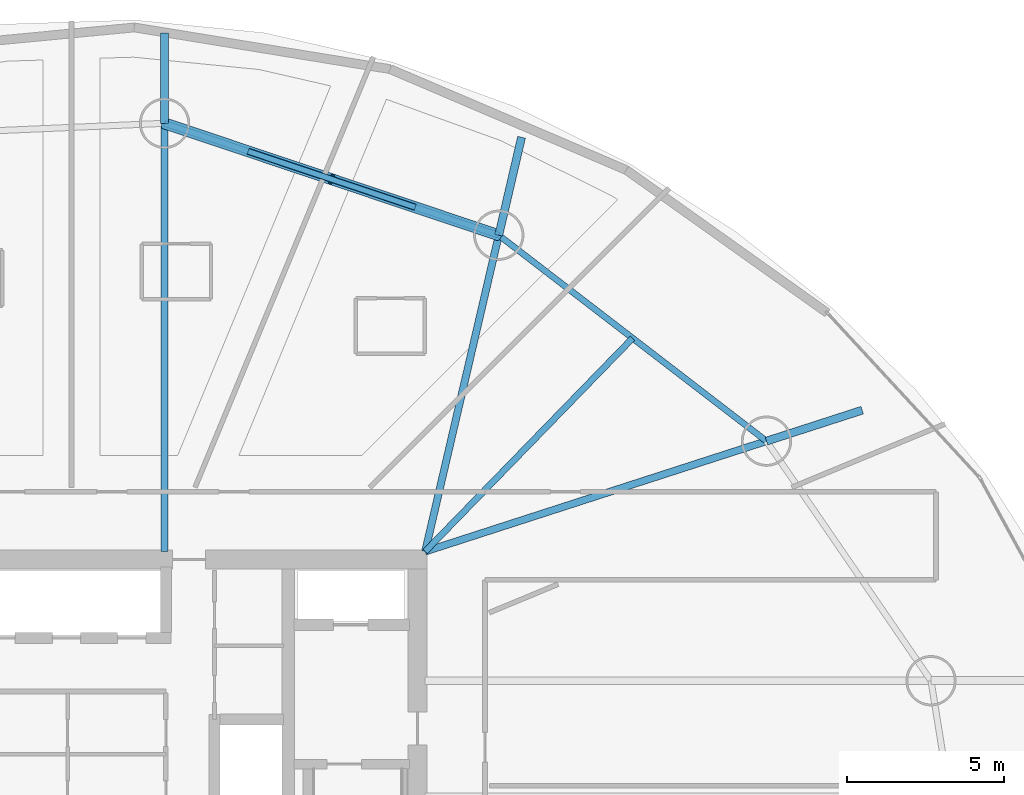
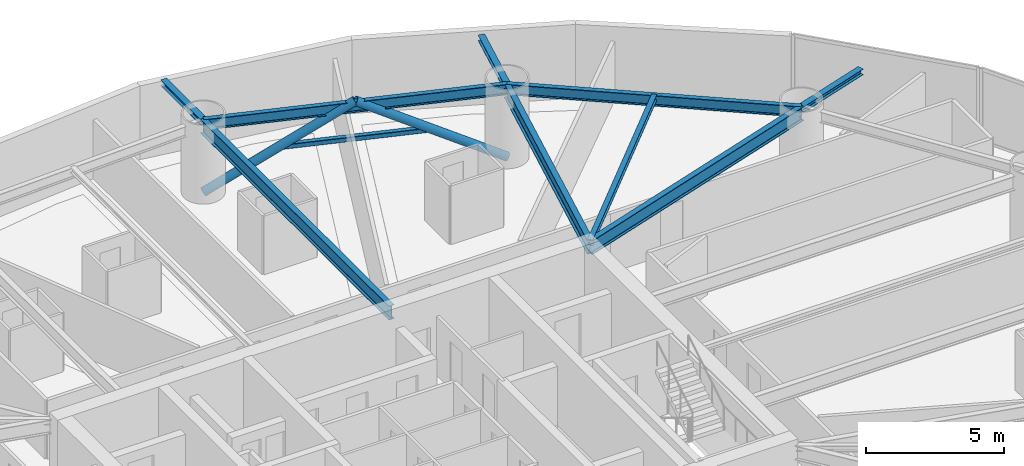
# One storey, part 15 of 27: 9 beams, 3 members.
"""IFC4 building model written with IfcOpenShell, lengths in metres."""

from ifc_helpers import new_model, si_unit, direction, frame, origin, origin_2d, place, context, subcontext, project, spatial, hollow_rectangle, hollow_circle, i_section, extrude, material, material_profile, profile_set, type_object, element, save


model = new_model("IFC4")

# Units and contexts
model_context = context("Model", 3, precision=1e-05, world=origin(), true_north=direction((0.0, 1.0)))
body_context = subcontext(model_context, "Body", "Model", "MODEL_VIEW")
ifc_project = project(units=[si_unit("LENGTHUNIT", "METRE"), si_unit("AREAUNIT", "SQUARE_METRE"), si_unit("VOLUMEUNIT", "CUBIC_METRE"), si_unit("PLANEANGLEUNIT", "RADIAN"), si_unit("MASSUNIT", "GRAM", prefix="KILO")], contexts=[model_context])

# Site, building, storey
site_placement = place(None, origin())
site = spatial("IfcSite", under=ifc_project, at=site_placement, CompositionType="ELEMENT")
building_placement = place(site_placement, origin())
building = spatial("IfcBuilding", under=site, at=building_placement, Name="Bramvorn Convention Spire", CompositionType="ELEMENT")
storey_placement = place(building_placement, frame((0.0, 0.0, 44.89990234375)))
storey = spatial("IfcBuildingStorey", under=building, at=storey_placement, Name="L08", CompositionType="ELEMENT", Elevation=44.89990234375)

# Beams
ifc_material = material(Name="Steel CSA G40.21 Grade 350 (350W)", Category="steel")
ifc_material_profile_1 = material_profile(ifc_material, i_section(OverallWidth=0.201904296875, OverallDepth=0.2470703125, WebThickness=0.00732421875, FlangeThickness=0.010986328125, FilletRadius=0.011962890625, at=origin_2d()))
ifc_profile_set_1 = profile_set([ifc_material_profile_1], Name="Steel CSA G40.21 Grade 350 (350W) - W250X49")
beam_type_1 = type_object("IfcBeamType", Name="BM-W250X49", PredefinedType="JOIST", material=ifc_profile_set_1)
beam_1_placement = place(storey_placement, frame((49.25, 33.449951171875, 3.126708984375), z_axis=(0.697170484005, 0.716905374671, 0.0), x_axis=(-0.716905374671, 0.697170484005, 0.0)))
element("IfcBeam", 1, at=beam_1_placement, inside=storey, type_object=beam_type_1, Name="L08 composite floor joist 03", PredefinedType="JOIST", context=body_context, shape_type="SweptSolid", body=[
    extrude(i_section(OverallWidth=0.201904296875, OverallDepth=0.2470703125, WebThickness=0.00732421875, FlangeThickness=0.010986328125, FilletRadius=0.011962890625, at=origin_2d()), origin(), (0.0, 0.0, 1.0), 9.4638671875),
])
ifc_material_profile_2 = material_profile(ifc_material, i_section(OverallWidth=0.25390625, OverallDepth=0.2529296875, WebThickness=0.008544921875, FlangeThickness=0.01416015625, FilletRadius=0.011962890625, at=origin_2d()))
ifc_profile_set_2 = profile_set([ifc_material_profile_2], Name="Steel CSA G40.21 Grade 350 (350W) - W250X73")
beam_type_2 = type_object("IfcBeamType", Name="BM-W250X73", PredefinedType="BEAM", material=ifc_profile_set_2)
for number, where, z_axis, x_axis, name in (
    (2, (60.105224609375, 36.960205078125, 3.12353515625), (0.951483286173, 0.307700432454, 0.0), (-0.307700432454, 0.951483286173, 0.0), "L08 slab-edge cantilever tip beam MC03"),
    (3, (51.59033203125, 43.509033203125, 3.12353515625), (0.226597657663, 0.973988450415, 0.0), (-0.973988450415, 0.226597657663, 0.0), "L08 slab-edge cantilever tip beam MC04"),
):
    element("IfcBeam", number, at=place(storey_placement, frame(where, z_axis=z_axis, x_axis=x_axis)), inside=storey, type_object=beam_type_2, Name=name, PredefinedType="BEAM", context=body_context, shape_type="SweptSolid", body=[
        extrude(i_section(OverallWidth=0.25390625, OverallDepth=0.2529296875, WebThickness=0.008544921875, FlangeThickness=0.01416015625, FilletRadius=0.011962890625, at=origin_2d()), origin(), (0.0, 0.0, 1.0), 3.199951171875),
    ])
beam_2_placement = place(storey_placement, frame((40.9609375, 47.06884765625, 3.12353515625), z_axis=(0.0, 1.0, 0.0), x_axis=(-1.0, 0.0, 0.0)))
element("IfcBeam", 4, at=beam_2_placement, inside=storey, type_object=beam_type_2, Name="L08 slab-edge cantilever tip beam MC05", PredefinedType="BEAM", context=body_context, shape_type="SweptSolid", body=[
    extrude(i_section(OverallWidth=0.25390625, OverallDepth=0.2529296875, WebThickness=0.008544921875, FlangeThickness=0.01416015625, FilletRadius=0.011962890625, at=origin_2d()), origin(), (0.0, 0.0, 1.0), 2.871826171875),
])
ifc_material_profile_3 = material_profile(ifc_material, i_section(OverallWidth=0.194091796875, OverallDepth=0.468994140625, WebThickness=0.0126953125, FlangeThickness=0.0205078125, FilletRadius=0.01806640625, at=origin_2d()))
ifc_profile_set_3 = profile_set([ifc_material_profile_3], Name="Steel CSA G40.21 Grade 350 (350W) - W460X106")
beam_type_3 = type_object("IfcBeamType", Name="BM-W460X106", PredefinedType="SPANDREL", material=ifc_profile_set_3)
beam_3_placement = place(storey_placement, frame((60.105224609375, 36.960205078125, 3.015625), z_axis=(-0.792672990445, 0.609647053809, 0.0), x_axis=(-0.609647053809, -0.792672990445, 0.0)))
element("IfcBeam", 5, at=beam_3_placement, inside=storey, type_object=beam_type_3, Name="L08 mega-column ring beam 03", PredefinedType="SPANDREL", context=body_context, shape_type="SweptSolid", body=[
    extrude(i_section(OverallWidth=0.194091796875, OverallDepth=0.468994140625, WebThickness=0.0126953125, FlangeThickness=0.0205078125, FilletRadius=0.01806640625, at=origin_2d()), origin(), (0.0, 0.0, 1.0), 10.741943359375),
])
beam_4_placement = place(storey_placement, frame((51.59033203125, 43.509033203125, 3.015625), z_axis=(-0.948235872727, 0.317566890078, 0.0), x_axis=(-0.317566890078, -0.948235872727, 0.0)))
element("IfcBeam", 6, at=beam_4_placement, inside=storey, type_object=beam_type_3, Name="L08 mega-column ring beam 04", PredefinedType="SPANDREL", context=body_context, shape_type="SweptSolid", body=[
    extrude(i_section(OverallWidth=0.194091796875, OverallDepth=0.468994140625, WebThickness=0.0126953125, FlangeThickness=0.0205078125, FilletRadius=0.01806640625, at=origin_2d()), origin(), (0.0, 0.0, 1.0), 11.209716796875),
])
ifc_material_profile_4 = material_profile(ifc_material, i_section(OverallWidth=0.22998046875, OverallDepth=0.616943359375, WebThickness=0.01318359375, FlangeThickness=0.022216796875, FilletRadius=0.02001953125, at=origin_2d()))
ifc_profile_set_4 = profile_set([ifc_material_profile_4], Name="Steel CSA G40.21 Grade 350 (350W) - W610X140")
beam_type_4 = type_object("IfcBeamType", Name="BM-W610X140", PredefinedType="BEAM", material=ifc_profile_set_4)
beam_5_placement = place(storey_placement, frame((49.25, 33.449951171875, 2.941650390625), z_axis=(0.951488933275, 0.307682969719, 0.0), x_axis=(-0.307682969719, 0.951488933275, 0.0)))
element("IfcBeam", 7, at=beam_5_placement, inside=storey, type_object=beam_type_4, Name="L08 radial floor girder MC03", PredefinedType="BEAM", context=body_context, shape_type="SweptSolid", body=[
    extrude(i_section(OverallWidth=0.22998046875, OverallDepth=0.616943359375, WebThickness=0.01318359375, FlangeThickness=0.022216796875, FilletRadius=0.02001953125, at=origin_2d()), origin(), (0.0, 0.0, 1.0), 11.40869140625),
])
beam_6_placement = place(storey_placement, frame((49.25, 33.449951171875, 2.941650390625), z_axis=(0.226606328522, 0.973986433106, 0.0), x_axis=(-0.973986433106, 0.226606328522, 0.0)))
element("IfcBeam", 8, at=beam_6_placement, inside=storey, type_object=beam_type_4, Name="L08 radial floor girder MC04", PredefinedType="BEAM", context=body_context, shape_type="SweptSolid", body=[
    extrude(i_section(OverallWidth=0.22998046875, OverallDepth=0.616943359375, WebThickness=0.01318359375, FlangeThickness=0.022216796875, FilletRadius=0.02001953125, at=origin_2d()), origin(), (0.0, 0.0, 1.0), 10.32763671875),
])
beam_7_placement = place(storey_placement, frame((40.9609375, 33.449951171875, 2.941650390625), z_axis=(0.0, 1.0, 0.0), x_axis=(-1.0, 0.0, 0.0)))
element("IfcBeam", 9, at=beam_7_placement, inside=storey, type_object=beam_type_4, Name="L08 radial floor girder MC05", PredefinedType="BEAM", context=body_context, shape_type="SweptSolid", body=[
    extrude(i_section(OverallWidth=0.22998046875, OverallDepth=0.616943359375, WebThickness=0.01318359375, FlangeThickness=0.022216796875, FilletRadius=0.02001953125, at=origin_2d()), origin(), (0.0, 0.0, 1.0), 13.618896484375),
])

# Members
ifc_material_profile_5 = material_profile(ifc_material, hollow_circle(Radius=0.177734375, WallThickness=0.015869140625, at=origin_2d()))
ifc_profile_set_5 = profile_set([ifc_material_profile_5], Name="Steel CSA G40.21 Grade 350 (350W) - CHS356X16")
member_type_1 = type_object("IfcMemberType", Name="MBR-CHS356X16", PredefinedType="BRACE", material=ifc_profile_set_5)
for number, where, z_axis, x_axis, name in (
    (10, (51.59033203125, 43.509033203125, 0.0), (-0.820300118259, 0.274739683138, 0.501623187756), (-0.31758647294, -0.948229314146, 0.0), "L08 perimeter Gothic lancet brace 4A"),
    (11, (40.9609375, 47.06884765625, 0.0), (0.820308610169, -0.274704844877, 0.501628380659), (0.31754730681, 0.948242430994, 0.0), "L08 perimeter Gothic lancet brace 4B"),
):
    element("IfcMember", number, at=place(storey_placement, frame(where, z_axis=z_axis, x_axis=x_axis)), inside=storey, type_object=member_type_1, Name=name, PredefinedType="BRACE", context=body_context, shape_type="SweptSolid", body=[
        extrude(hollow_circle(Radius=0.177734375, WallThickness=0.015869140625, at=origin_2d()), origin(), (0.0, 0.0, 1.0), 6.47900390625),
    ])
ifc_material_profile_6 = material_profile(ifc_material, hollow_rectangle(XDim=0.203125, YDim=0.203125, WallThickness=0.0126953125, InnerFilletRadius=0.0126953125, OuterFilletRadius=0.025390625, at=origin_2d()))
ifc_profile_set_6 = profile_set([ifc_material_profile_6], Name="Steel CSA G40.21 Grade 350 (350W) - HSS203X203X13")
member_type_2 = type_object("IfcMemberType", Name="MBR-HSS203X203X13", PredefinedType="BRACE", material=ifc_profile_set_6)
member_placement = place(storey_placement, frame((48.93310546875, 44.39892578125, 1.625), z_axis=(-0.948229314146, 0.31758647294, 0.0), x_axis=(-0.31758647294, -0.948229314146, 0.0)))
element("IfcMember", 12, at=member_placement, inside=storey, type_object=member_type_2, Name="L08 lancet mid-height collar tie 4", PredefinedType="BRACE", context=body_context, shape_type="SweptSolid", body=[
    extrude(hollow_rectangle(XDim=0.203125, YDim=0.203125, WallThickness=0.0126953125, InnerFilletRadius=0.0126953125, OuterFilletRadius=0.025390625, at=origin_2d()), origin(), (0.0, 0.0, 1.0), 5.60498046875),
])

save(model, "model.ifc")
